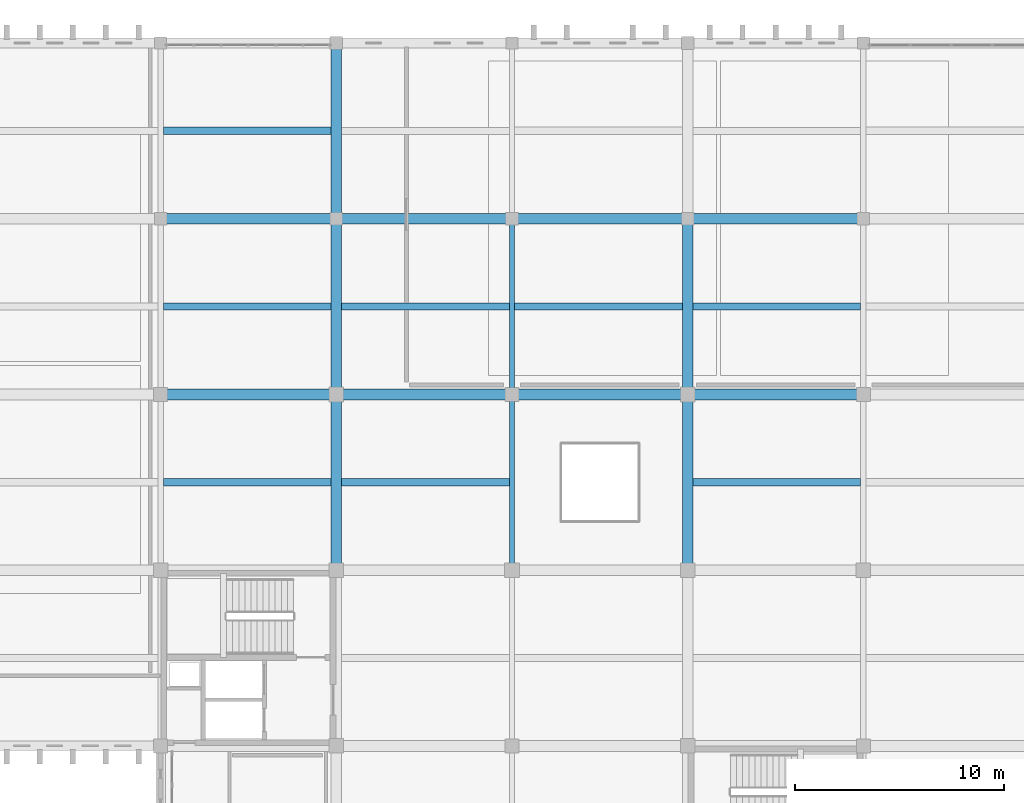
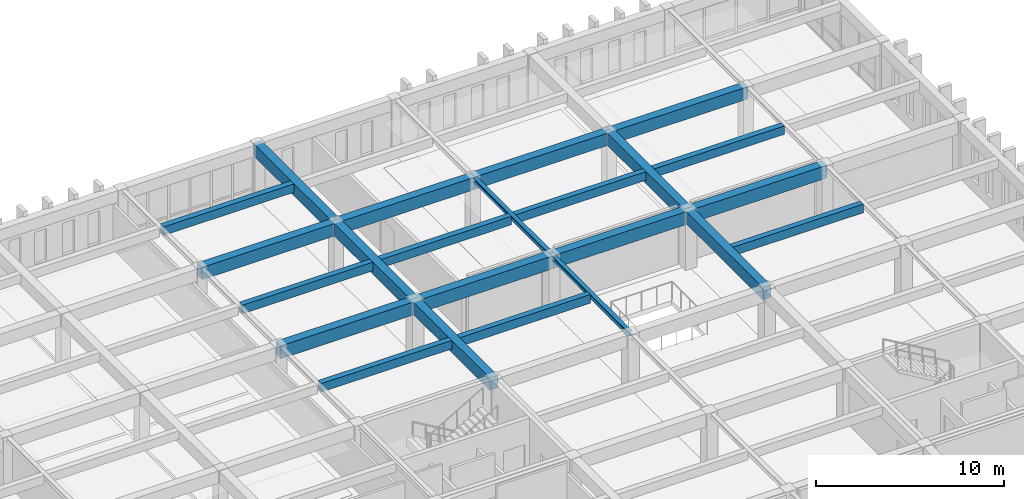
# One storey, part 51 of 110: 23 beams.
"""IFC4 building model written with IfcOpenShell, lengths in metres."""

from ifc_helpers import new_model, si_unit, direction, frame, origin, origin_2d, place, context, subcontext, project, spatial, rectangle, i_section, extrude, material, material_profile, profile_set, type_object, element, save


model = new_model("IFC4")

# Units and contexts
model_context = context("Model", 3, precision=1e-05, world=origin(), true_north=direction((0.0, 1.0)))
body_context = subcontext(model_context, "Body", "Model", "MODEL_VIEW")
ifc_project = project(units=[si_unit("LENGTHUNIT", "METRE"), si_unit("AREAUNIT", "SQUARE_METRE"), si_unit("VOLUMEUNIT", "CUBIC_METRE"), si_unit("PLANEANGLEUNIT", "RADIAN"), si_unit("MASSUNIT", "GRAM", prefix="KILO")], contexts=[model_context])

# Site, building, storey
site_placement = place(None, origin())
site = spatial("IfcSite", under=ifc_project, at=site_placement, CompositionType="ELEMENT")
building_placement = place(site_placement, origin())
building = spatial("IfcBuilding", under=site, at=building_placement, Name="Kveldsbrygga Polytechnic", CompositionType="ELEMENT")
storey_placement = place(building_placement, frame((0.0, 0.0, 9.860107421875)))
storey = spatial("IfcBuildingStorey", under=building, at=storey_placement, Name="L02", CompositionType="ELEMENT", Elevation=9.860107421875)

# Beams
ifc_material_1 = material(Name="Concrete C35/45", Category="concrete")
ifc_material_profile_1 = material_profile(ifc_material_1, rectangle(XDim=0.5, YDim=0.800048828125, at=origin_2d()), Name="RC 500x800")
ifc_profile_set_1 = profile_set([ifc_material_profile_1], Name="Concrete C35/45")
beam_type_1 = type_object("IfcBeamType", Name="BM-RC-500x800", PredefinedType="BEAM", material=ifc_profile_set_1)
beam_1_placement = place(storey_placement, frame((126.0, 109.199951171875, 3.349853515625), z_axis=(1.0, 0.0, 0.0), x_axis=(0.0, 1.0, 0.0)))
element("IfcBeam", 1, at=beam_1_placement, inside=storey, type_object=beam_type_1, Name="Primary Beam BMX-L02-15to16-13", PredefinedType="BEAM", context=body_context, shape_type="SweptSolid", body=[
    extrude(rectangle(XDim=0.5, YDim=0.800048828125, at=origin_2d()), origin(), (0.0, 0.0, 1.0), 8.39990234375),
])
beam_2_placement = place(storey_placement, frame((134.39990234375, 109.199951171875, 3.349853515625), z_axis=(1.0, 0.0, 0.0), x_axis=(0.0, 1.0, 0.0)))
element("IfcBeam", 2, at=beam_2_placement, inside=storey, type_object=beam_type_1, Name="Primary Beam BMX-L02-16to17-13", PredefinedType="BEAM", context=body_context, shape_type="SweptSolid", body=[
    extrude(rectangle(XDim=0.5, YDim=0.800048828125, at=origin_2d()), origin(), (0.0, 0.0, 1.0), 8.400146484375),
])
beam_3_placement = place(storey_placement, frame((142.800048828125, 109.199951171875, 3.349853515625), z_axis=(1.0, 0.0, 0.0), x_axis=(0.0, 1.0, 0.0)))
element("IfcBeam", 3, at=beam_3_placement, inside=storey, type_object=beam_type_1, Name="Primary Beam BMX-L02-17to18-13", PredefinedType="BEAM", context=body_context, shape_type="SweptSolid", body=[
    extrude(rectangle(XDim=0.5, YDim=0.800048828125, at=origin_2d()), origin(), (0.0, 0.0, 1.0), 8.39990234375),
])
for number, where, z_axis, x_axis, name in (
    (4, (151.199951171875, 109.199951171875, 3.349853515625), (1.0, 0.0, 0.0), (0.0, 1.0, 0.0), "Primary Beam BMX-L02-18to19-13"),
    (5, (134.39990234375, 92.39990234375, 3.349853515625), (0.0, 1.0, 0.0), (-1.0, 0.0, 0.0), "Primary Beam BMY-L02-16-11to12"),
):
    element("IfcBeam", number, at=place(storey_placement, frame(where, z_axis=z_axis, x_axis=x_axis)), inside=storey, type_object=beam_type_1, Name=name, PredefinedType="BEAM", context=body_context, shape_type="SweptSolid", body=[
        extrude(rectangle(XDim=0.5, YDim=0.800048828125, at=origin_2d()), origin(), (0.0, 0.0, 1.0), 8.400146484375),
    ])
beam_4_placement = place(storey_placement, frame((134.39990234375, 100.800048828125, 3.349853515625), z_axis=(0.0, 1.0, 0.0), x_axis=(-1.0, 0.0, 0.0)))
element("IfcBeam", 6, at=beam_4_placement, inside=storey, type_object=beam_type_1, Name="Primary Beam BMY-L02-16-12to13", PredefinedType="BEAM", context=body_context, shape_type="SweptSolid", body=[
    extrude(rectangle(XDim=0.5, YDim=0.800048828125, at=origin_2d()), origin(), (0.0, 0.0, 1.0), 8.39990234375),
])
for number, where, z_axis, x_axis, name in (
    (7, (134.39990234375, 109.199951171875, 3.349853515625), (0.0, 1.0, 0.0), (-1.0, 0.0, 0.0), "Primary Beam BMY-L02-16-13to14"),
    (8, (151.199951171875, 92.39990234375, 3.349853515625), (0.0, 1.0, 0.0), (-1.0, 0.0, 0.0), "Primary Beam BMY-L02-18-11to12"),
):
    element("IfcBeam", number, at=place(storey_placement, frame(where, z_axis=z_axis, x_axis=x_axis)), inside=storey, type_object=beam_type_1, Name=name, PredefinedType="BEAM", context=body_context, shape_type="SweptSolid", body=[
        extrude(rectangle(XDim=0.5, YDim=0.800048828125, at=origin_2d()), origin(), (0.0, 0.0, 1.0), 8.400146484375),
    ])
beam_5_placement = place(storey_placement, frame((151.199951171875, 100.800048828125, 3.349853515625), z_axis=(0.0, 1.0, 0.0), x_axis=(-1.0, 0.0, 0.0)))
element("IfcBeam", 9, at=beam_5_placement, inside=storey, type_object=beam_type_1, Name="Primary Beam BMY-L02-18-12to13", PredefinedType="BEAM", context=body_context, shape_type="SweptSolid", body=[
    extrude(rectangle(XDim=0.5, YDim=0.800048828125, at=origin_2d()), origin(), (0.0, 0.0, 1.0), 8.39990234375),
])
ifc_material_profile_2 = material_profile(ifc_material_1, rectangle(XDim=0.52001953125, YDim=0.840087890625, at=origin_2d()), Name="RC 520x840")
ifc_profile_set_2 = profile_set([ifc_material_profile_2], Name="Concrete C35/45")
beam_type_2 = type_object("IfcBeamType", Name="BM-RC-520x840", PredefinedType="BEAM", material=ifc_profile_set_2)
beam_6_placement = place(storey_placement, frame((126.0, 100.800048828125, 3.329833984375), z_axis=(1.0, 0.0, 0.0), x_axis=(0.0, 1.0, 0.0)))
element("IfcBeam", 10, at=beam_6_placement, inside=storey, type_object=beam_type_2, Name="Primary Beam BMX-L02-15to16-12", PredefinedType="BEAM", context=body_context, shape_type="SweptSolid", body=[
    extrude(rectangle(XDim=0.52001953125, YDim=0.840087890625, at=origin_2d()), origin(), (0.0, 0.0, 1.0), 8.39990234375),
])
beam_7_placement = place(storey_placement, frame((134.39990234375, 100.800048828125, 3.329833984375), z_axis=(1.0, 0.0, 0.0), x_axis=(0.0, 1.0, 0.0)))
element("IfcBeam", 11, at=beam_7_placement, inside=storey, type_object=beam_type_2, Name="Primary Beam BMX-L02-16to17-12", PredefinedType="BEAM", context=body_context, shape_type="SweptSolid", body=[
    extrude(rectangle(XDim=0.52001953125, YDim=0.840087890625, at=origin_2d()), origin(), (0.0, 0.0, 1.0), 8.400146484375),
])
beam_8_placement = place(storey_placement, frame((142.800048828125, 100.800048828125, 3.329833984375), z_axis=(1.0, 0.0, 0.0), x_axis=(0.0, 1.0, 0.0)))
element("IfcBeam", 12, at=beam_8_placement, inside=storey, type_object=beam_type_2, Name="Primary Beam BMX-L02-17to18-12", PredefinedType="BEAM", context=body_context, shape_type="SweptSolid", body=[
    extrude(rectangle(XDim=0.52001953125, YDim=0.840087890625, at=origin_2d()), origin(), (0.0, 0.0, 1.0), 8.39990234375),
])
beam_9_placement = place(storey_placement, frame((151.199951171875, 100.800048828125, 3.329833984375), z_axis=(1.0, 0.0, 0.0), x_axis=(0.0, 1.0, 0.0)))
element("IfcBeam", 13, at=beam_9_placement, inside=storey, type_object=beam_type_2, Name="Primary Beam BMX-L02-18to19-12", PredefinedType="BEAM", context=body_context, shape_type="SweptSolid", body=[
    extrude(rectangle(XDim=0.52001953125, YDim=0.840087890625, at=origin_2d()), origin(), (0.0, 0.0, 1.0), 8.400146484375),
])
ifc_material_2 = material(Name="Steel S355", Category="steel")
ifc_material_profile_3 = material_profile(ifc_material_2, i_section(OverallWidth=0.260009765625, OverallDepth=0.260009765625, WebThickness=0.010009765625, FlangeThickness=0.017578125, FilletRadius=0.02392578125, at=origin_2d()), Name="HEB 260")
ifc_profile_set_3 = profile_set([ifc_material_profile_3], Name="Steel S355")
beam_type_3 = type_object("IfcBeamType", Name="BM-STL-HEB260", PredefinedType="BEAM", material=ifc_profile_set_3)
beam_10_placement = place(storey_placement, frame((142.800048828125, 92.39990234375, 3.619873046875), z_axis=(0.0, 1.0, 0.0), x_axis=(-1.0, 0.0, 0.0)))
element("IfcBeam", 14, at=beam_10_placement, inside=storey, type_object=beam_type_3, Name="Primary Beam BMY-L02-17-11to12", PredefinedType="BEAM", context=body_context, shape_type="SweptSolid", body=[
    extrude(i_section(OverallWidth=0.260009765625, OverallDepth=0.260009765625, WebThickness=0.010009765625, FlangeThickness=0.017578125, FilletRadius=0.02392578125, at=origin_2d()), origin(), (0.0, 0.0, 1.0), 8.400146484375),
])
beam_11_placement = place(storey_placement, frame((142.800048828125, 100.800048828125, 3.619873046875), z_axis=(0.0, 1.0, 0.0), x_axis=(-1.0, 0.0, 0.0)))
element("IfcBeam", 15, at=beam_11_placement, inside=storey, type_object=beam_type_3, Name="Primary Beam BMY-L02-17-12to13", PredefinedType="BEAM", context=body_context, shape_type="SweptSolid", body=[
    extrude(i_section(OverallWidth=0.260009765625, OverallDepth=0.260009765625, WebThickness=0.010009765625, FlangeThickness=0.017578125, FilletRadius=0.02392578125, at=origin_2d()), origin(), (0.0, 0.0, 1.0), 8.39990234375),
])
ifc_material_profile_4 = material_profile(ifc_material_1, rectangle(XDim=0.340087890625, YDim=0.56005859375, at=origin_2d()), Name="RC 340x560")
ifc_profile_set_4 = profile_set([ifc_material_profile_4], Name="Concrete C35/45")
beam_type_4 = type_object("IfcBeamType", Name="JST-RC-340x560", PredefinedType="JOIST", material=ifc_profile_set_4)
for number, where, z_axis, x_axis, name in (
    (16, (126.1298828125, 105.0, 3.469970703125), (1.0, 0.0, 0.0), (0.0, 1.0, 0.0), "Secondary Joist JST-L02-15-12"),
    (17, (134.64990234375, 96.60009765625, 3.469970703125), (1.0, 0.0, 0.0), (0.0, 1.0, 0.0), "Secondary Joist JST-L02-16-11"),
    (18, (142.929931640625, 105.0, 3.469970703125), (1.0, 0.0, 0.0), (0.0, 1.0, 0.0), "Secondary Joist JST-L02-17-12"),
    (19, (151.449951171875, 96.60009765625, 3.469970703125), (1.0, 0.0, 0.0), (0.0, 1.0, 0.0), "Secondary Joist JST-L02-18-11"),
):
    element("IfcBeam", number, at=place(storey_placement, frame(where, z_axis=z_axis, x_axis=x_axis)), inside=storey, type_object=beam_type_4, Name=name, PredefinedType="JOIST", context=body_context, shape_type="SweptSolid", body=[
        extrude(rectangle(XDim=0.340087890625, YDim=0.56005859375, at=origin_2d()), origin(), (0.0, 0.0, 1.0), 8.02001953125),
    ])
ifc_material_profile_5 = material_profile(ifc_material_1, rectangle(XDim=0.35009765625, YDim=0.550048828125, at=origin_2d()), Name="RC 350x550")
ifc_profile_set_5 = profile_set([ifc_material_profile_5], Name="Concrete C35/45")
beam_type_5 = type_object("IfcBeamType", Name="JST-RC-350x550", PredefinedType="JOIST", material=ifc_profile_set_5)
for number, where, z_axis, x_axis, name in (
    (20, (126.1298828125, 96.60009765625, 3.474853515625), (1.0, 0.0, 0.0), (0.0, 1.0, 0.0), "Secondary Joist JST-L02-15-11"),
    (21, (126.1298828125, 113.39990234375, 3.474853515625), (1.0, 0.0, 0.0), (0.0, 1.0, 0.0), "Secondary Joist JST-L02-15-13"),
    (22, (134.64990234375, 105.0, 3.474853515625), (1.0, 0.0, 0.0), (0.0, 1.0, 0.0), "Secondary Joist JST-L02-16-12"),
    (23, (151.449951171875, 105.0, 3.474853515625), (1.0, 0.0, 0.0), (0.0, 1.0, 0.0), "Secondary Joist JST-L02-18-12"),
):
    element("IfcBeam", number, at=place(storey_placement, frame(where, z_axis=z_axis, x_axis=x_axis)), inside=storey, type_object=beam_type_5, Name=name, PredefinedType="JOIST", context=body_context, shape_type="SweptSolid", body=[
        extrude(rectangle(XDim=0.35009765625, YDim=0.550048828125, at=origin_2d()), origin(), (0.0, 0.0, 1.0), 8.02001953125),
    ])

save(model, "model.ifc")
